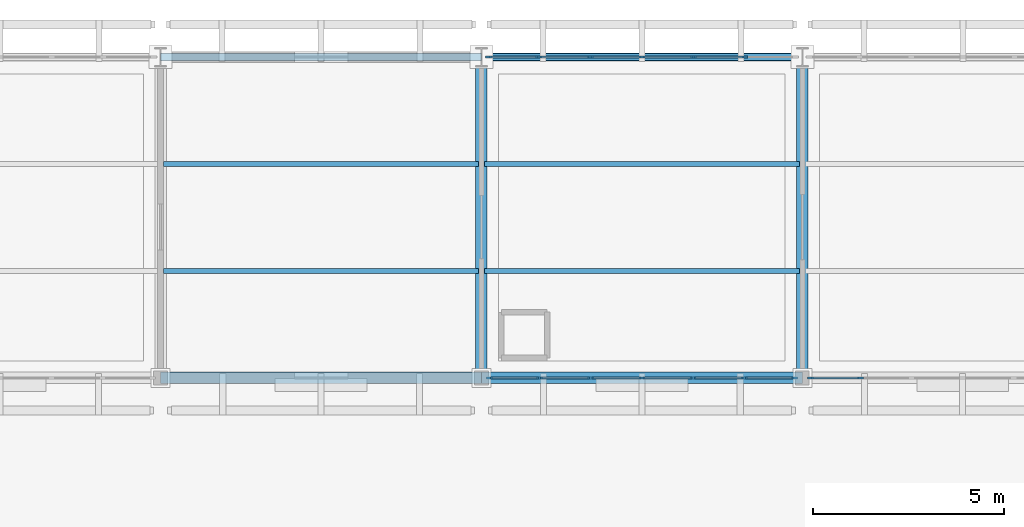
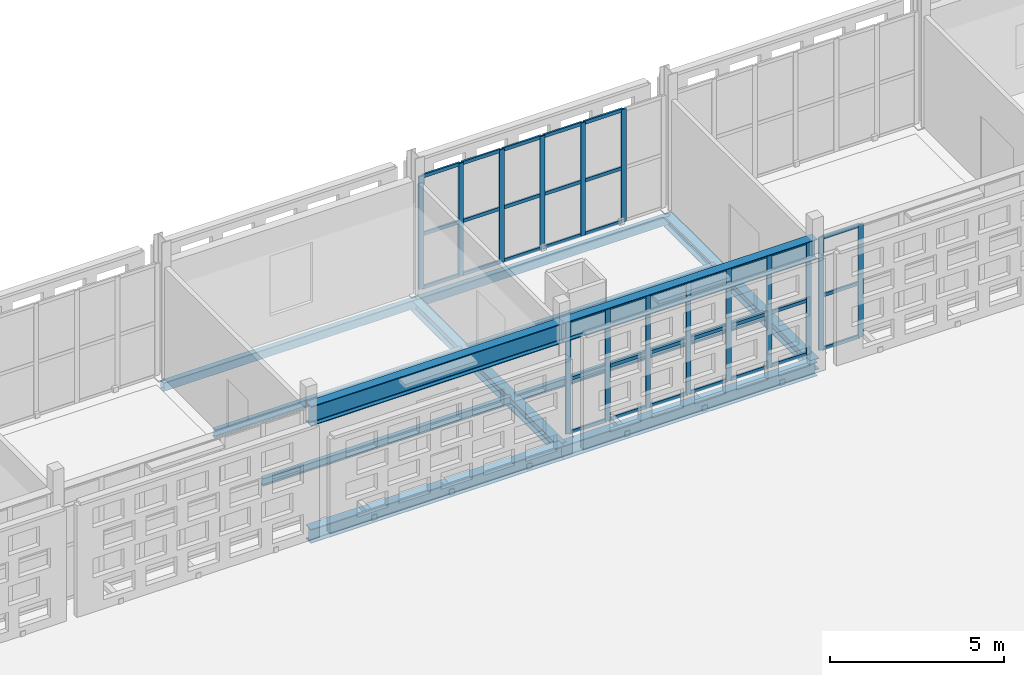
# One storey, part 63 of 203: 51 members, 12 beams, 3 elements without a shape of their own.
"""IFC4 building model written with IfcOpenShell, lengths in metres."""

from ifc_helpers import new_model, si_unit, direction, frame, origin, origin_2d, place, context, subcontext, project, spatial, rectangle, hollow_rectangle, i_section, extrude, material, layer, layer_set, material_profile, profile_set, type_object, element, aggregate, save


model = new_model("IFC4")

# Units and contexts
model_context = context("Model", 3, precision=1e-05, world=origin(), true_north=direction((0.0, 1.0)))
body_context = subcontext(model_context, "Body", "Model", "MODEL_VIEW")
ifc_project = project(units=[si_unit("LENGTHUNIT", "METRE"), si_unit("AREAUNIT", "SQUARE_METRE"), si_unit("VOLUMEUNIT", "CUBIC_METRE"), si_unit("PLANEANGLEUNIT", "RADIAN"), si_unit("MASSUNIT", "GRAM", prefix="KILO")], contexts=[model_context])

# Site, building, storey
site_placement = place(None, origin())
site = spatial("IfcSite", under=ifc_project, at=site_placement, CompositionType="ELEMENT")
building_placement = place(site_placement, origin())
building = spatial("IfcBuilding", under=site, at=building_placement, Name="Varnapada Polytechnic", CompositionType="ELEMENT")
storey_placement = place(building_placement, frame((0.0, 0.0, 4.800048828125)))
storey = spatial("IfcBuildingStorey", under=building, at=storey_placement, Name="L01", CompositionType="ELEMENT", Elevation=4.800048828125)

# Beams
ifc_material_1 = material(Name="Steel S355", Category="steel")
ifc_material_profile_1 = material_profile(ifc_material_1, i_section(OverallWidth=0.300048828125, OverallDepth=0.68994140625, WebThickness=0.014404296875, FlangeThickness=0.027099609375, FilletRadius=0.027099609375, at=origin_2d()), Name="HEA 700")
ifc_profile_set_1 = profile_set([ifc_material_profile_1], Name="Steel S355")
beam_type_1 = type_object("IfcBeamType", Name="Heavy fabrication crane girder CR-03 (HEA 700)", PredefinedType="BEAM", material=ifc_profile_set_1)
beam_1_placement = place(storey_placement, frame((92.39990234375, 117.60009765625, 3.695068359375), z_axis=(1.0, 0.0, 0.0), x_axis=(0.0, 1.0, 0.0)))
element("IfcBeam", 1, at=beam_1_placement, inside=storey, type_object=beam_type_1, Name="Workshop bridge crane runway girder 12-13 line 15", PredefinedType="BEAM", context=body_context, shape_type="SweptSolid", body=[
    extrude(i_section(OverallWidth=0.300048828125, OverallDepth=0.68994140625, WebThickness=0.014404296875, FlangeThickness=0.027099609375, FilletRadius=0.027099609375, at=origin_2d()), origin(), (0.0, 0.0, 1.0), 8.400146484375),
])
beam_2_placement = place(storey_placement, frame((100.800048828125, 117.60009765625, 3.695068359375), z_axis=(1.0, 0.0, 0.0), x_axis=(0.0, 1.0, 0.0)))
element("IfcBeam", 2, at=beam_2_placement, inside=storey, type_object=beam_type_1, Name="Workshop bridge crane runway girder 13-14 line 15", PredefinedType="BEAM", context=body_context, shape_type="SweptSolid", body=[
    extrude(i_section(OverallWidth=0.300048828125, OverallDepth=0.68994140625, WebThickness=0.014404296875, FlangeThickness=0.027099609375, FilletRadius=0.027099609375, at=origin_2d()), origin(), (0.0, 0.0, 1.0), 8.39990234375),
])
ifc_material_profile_2 = material_profile(ifc_material_1, i_section(OverallWidth=0.135009765625, OverallDepth=0.27001953125, WebThickness=0.006591796875, FlangeThickness=0.01025390625, FilletRadius=0.014892578125, at=origin_2d()), Name="IPE 270")
ifc_profile_set_2 = profile_set([ifc_material_profile_2], Name="Steel S355")
beam_type_2 = type_object("IfcBeamType", Name="Mezzanine heavy steel joist SJ-03 (IPE 270)", PredefinedType="JOIST", material=ifc_profile_set_2)
for number, where, z_axis, x_axis, name in (
    (3, (92.47998046875, 120.39990234375, -0.39501953125), (1.0, 0.0, 0.0), (0.0, 1.0, 0.0), "L01 floor joist 12/15.1"),
    (4, (92.47998046875, 123.199951171875, -0.39501953125), (1.0, 0.0, 0.0), (0.0, 1.0, 0.0), "L01 floor joist 12/15.2"),
):
    element("IfcBeam", number, at=place(storey_placement, frame(where, z_axis=z_axis, x_axis=x_axis)), inside=storey, type_object=beam_type_2, Name=name, PredefinedType="JOIST", context=body_context, shape_type="SweptSolid", body=[
        extrude(i_section(OverallWidth=0.135009765625, OverallDepth=0.27001953125, WebThickness=0.006591796875, FlangeThickness=0.01025390625, FilletRadius=0.014892578125, at=origin_2d()), origin(), (0.0, 0.0, 1.0), 8.239990234375),
    ])
for number, where, z_axis, x_axis, name in (
    (5, (100.8798828125, 120.39990234375, -0.39501953125), (1.0, 0.0, 0.0), (0.0, 1.0, 0.0), "L01 floor joist 13/15.1"),
    (6, (100.8798828125, 123.199951171875, -0.39501953125), (1.0, 0.0, 0.0), (0.0, 1.0, 0.0), "L01 floor joist 13/15.2"),
):
    element("IfcBeam", number, at=place(storey_placement, frame(where, z_axis=z_axis, x_axis=x_axis)), inside=storey, type_object=beam_type_2, Name=name, PredefinedType="JOIST", context=body_context, shape_type="SweptSolid", body=[
        extrude(i_section(OverallWidth=0.135009765625, OverallDepth=0.27001953125, WebThickness=0.006591796875, FlangeThickness=0.01025390625, FilletRadius=0.014892578125, at=origin_2d()), origin(), (0.0, 0.0, 1.0), 8.240234375),
    ])

# Curtain wall, members
ifc_material_2 = material(Name="Double low-E laminated glass", Category="glass")
ifc_layer = layer(ifc_material_2, 0.159912109375)
ifc_layer_set = layer_set([ifc_layer], Name="Double low-E laminated glass")
curtain_wall_type = type_object("IfcCurtainWallType", Name="Curtain Wall CW-02", PredefinedType="NOTDEFINED", material=ifc_layer_set)
curtain_wall_1_placement = place(storey_placement, origin())
curtain_wall_1 = element("IfcCurtainWall", 7, at=curtain_wall_1_placement, inside=storey, type_object=curtain_wall_type, Name="L01 unitised curtain wall CW-02 (81)", PredefinedType="NOTDEFINED")
ifc_material_3 = material(Name="Anodised aluminium", Category="aluminium")
ifc_material_profile_3 = material_profile(ifc_material_3, rectangle(XDim=0.06005859375, YDim=0.159912109375, at=origin_2d()), Name="ALU M60x160")
ifc_profile_set_3 = profile_set([ifc_material_profile_3], Name="Anodised aluminium")
member_type_1 = type_object("IfcMemberType", Name="Mullion M-01", PredefinedType="MULLION", material=ifc_profile_set_3)
member_1_placement = place(storey_placement, frame((108.989990234375, 117.60009765625, 0.0), z_axis=(0.0, 0.0, 1.0), x_axis=(0.0, -1.0, 0.0)))
member_1 = element("IfcMember", 8, at=member_1_placement, type_object=member_type_1, Name="CW-02 mullion 1", PredefinedType="MULLION", context=body_context, shape_type="SweptSolid", body=[
    extrude(rectangle(XDim=0.06005859375, YDim=0.159912109375, at=origin_2d()), origin(), (0.0, 0.0, 1.0), 3.9599609375),
])
member_2_placement = place(storey_placement, frame((107.679931640625, 117.60009765625, 0.0), z_axis=(0.0, 0.0, 1.0), x_axis=(0.0, -1.0, 0.0)))
member_2 = element("IfcMember", 9, at=member_2_placement, type_object=member_type_1, Name="CW-02 mullion 2", PredefinedType="MULLION", context=body_context, shape_type="SweptSolid", body=[
    extrude(rectangle(XDim=0.06005859375, YDim=0.159912109375, at=origin_2d()), origin(), (0.0, 0.0, 1.0), 3.9599609375),
])
member_3_placement = place(storey_placement, frame((106.340087890625, 117.60009765625, 0.0), z_axis=(0.0, 0.0, 1.0), x_axis=(0.0, -1.0, 0.0)))
member_3 = element("IfcMember", 10, at=member_3_placement, type_object=member_type_1, Name="CW-02 mullion 3", PredefinedType="MULLION", context=body_context, shape_type="SweptSolid", body=[
    extrude(rectangle(XDim=0.06005859375, YDim=0.159912109375, at=origin_2d()), origin(), (0.0, 0.0, 1.0), 3.9599609375),
])
member_4_placement = place(storey_placement, frame((105.0, 117.60009765625, 0.0), z_axis=(0.0, 0.0, 1.0), x_axis=(0.0, -1.0, 0.0)))
member_4 = element("IfcMember", 11, at=member_4_placement, type_object=member_type_1, Name="CW-02 mullion 4", PredefinedType="MULLION", context=body_context, shape_type="SweptSolid", body=[
    extrude(rectangle(XDim=0.06005859375, YDim=0.159912109375, at=origin_2d()), origin(), (0.0, 0.0, 1.0), 3.9599609375),
])
member_5_placement = place(storey_placement, frame((103.659912109375, 117.60009765625, 0.0), z_axis=(0.0, 0.0, 1.0), x_axis=(0.0, -1.0, 0.0)))
member_5 = element("IfcMember", 12, at=member_5_placement, type_object=member_type_1, Name="CW-02 mullion 5", PredefinedType="MULLION", context=body_context, shape_type="SweptSolid", body=[
    extrude(rectangle(XDim=0.06005859375, YDim=0.159912109375, at=origin_2d()), origin(), (0.0, 0.0, 1.0), 3.9599609375),
])
member_6_placement = place(storey_placement, frame((102.320068359375, 117.60009765625, 0.0), z_axis=(0.0, 0.0, 1.0), x_axis=(0.0, -1.0, 0.0)))
member_6 = element("IfcMember", 13, at=member_6_placement, type_object=member_type_1, Name="CW-02 mullion 6", PredefinedType="MULLION", context=body_context, shape_type="SweptSolid", body=[
    extrude(rectangle(XDim=0.06005859375, YDim=0.159912109375, at=origin_2d()), origin(), (0.0, 0.0, 1.0), 3.9599609375),
])
member_7_placement = place(storey_placement, frame((101.010009765625, 117.60009765625, 0.0), z_axis=(0.0, 0.0, 1.0), x_axis=(0.0, -1.0, 0.0)))
member_7 = element("IfcMember", 14, at=member_7_placement, type_object=member_type_1, Name="CW-02 mullion 7", PredefinedType="MULLION", context=body_context, shape_type="SweptSolid", body=[
    extrude(rectangle(XDim=0.06005859375, YDim=0.159912109375, at=origin_2d()), origin(), (0.0, 0.0, 1.0), 3.9599609375),
])

curtain_wall_2_placement = place(storey_placement, origin())
curtain_wall_2 = element("IfcCurtainWall", 15, at=curtain_wall_2_placement, inside=storey, type_object=curtain_wall_type, Name="L01 unitised curtain wall CW-02 (82)", PredefinedType="NOTDEFINED")
member_8_placement = place(storey_placement, frame((100.97998046875, 126.0, 0.0), z_axis=(0.0, 0.0, 1.0), x_axis=(0.0, 1.0, 0.0)))
member_8 = element("IfcMember", 16, at=member_8_placement, type_object=member_type_1, Name="CW-02 mullion 1", PredefinedType="MULLION", context=body_context, shape_type="SweptSolid", body=[
    extrude(rectangle(XDim=0.06005859375, YDim=0.159912109375, at=origin_2d()), origin(), (0.0, 0.0, 1.0), 3.9599609375),
])
member_9_placement = place(storey_placement, frame((102.300048828125, 126.0, 0.0), z_axis=(0.0, 0.0, 1.0), x_axis=(0.0, 1.0, 0.0)))
member_9 = element("IfcMember", 17, at=member_9_placement, type_object=member_type_1, Name="CW-02 mullion 2", PredefinedType="MULLION", context=body_context, shape_type="SweptSolid", body=[
    extrude(rectangle(XDim=0.06005859375, YDim=0.159912109375, at=origin_2d()), origin(), (0.0, 0.0, 1.0), 3.9599609375),
])
member_10_placement = place(storey_placement, frame((103.64990234375, 126.0, 0.0), z_axis=(0.0, 0.0, 1.0), x_axis=(0.0, 1.0, 0.0)))
member_10 = element("IfcMember", 18, at=member_10_placement, type_object=member_type_1, Name="CW-02 mullion 3", PredefinedType="MULLION", context=body_context, shape_type="SweptSolid", body=[
    extrude(rectangle(XDim=0.06005859375, YDim=0.159912109375, at=origin_2d()), origin(), (0.0, 0.0, 1.0), 3.9599609375),
])
member_11_placement = place(storey_placement, frame((105.0, 126.0, 0.0), z_axis=(0.0, 0.0, 1.0), x_axis=(0.0, 1.0, 0.0)))
member_11 = element("IfcMember", 19, at=member_11_placement, type_object=member_type_1, Name="CW-02 mullion 4", PredefinedType="MULLION", context=body_context, shape_type="SweptSolid", body=[
    extrude(rectangle(XDim=0.06005859375, YDim=0.159912109375, at=origin_2d()), origin(), (0.0, 0.0, 1.0), 3.9599609375),
])
member_12_placement = place(storey_placement, frame((106.35009765625, 126.0, 0.0), z_axis=(0.0, 0.0, 1.0), x_axis=(0.0, 1.0, 0.0)))
member_12 = element("IfcMember", 20, at=member_12_placement, type_object=member_type_1, Name="CW-02 mullion 5", PredefinedType="MULLION", context=body_context, shape_type="SweptSolid", body=[
    extrude(rectangle(XDim=0.06005859375, YDim=0.159912109375, at=origin_2d()), origin(), (0.0, 0.0, 1.0), 3.9599609375),
])
member_13_placement = place(storey_placement, frame((107.699951171875, 126.0, 0.0), z_axis=(0.0, 0.0, 1.0), x_axis=(0.0, 1.0, 0.0)))
member_13 = element("IfcMember", 21, at=member_13_placement, type_object=member_type_1, Name="CW-02 mullion 6", PredefinedType="MULLION", context=body_context, shape_type="SweptSolid", body=[
    extrude(rectangle(XDim=0.06005859375, YDim=0.159912109375, at=origin_2d()), origin(), (0.0, 0.0, 1.0), 3.9599609375),
])

curtain_wall_3_placement = place(storey_placement, origin())
curtain_wall_3 = element("IfcCurtainWall", 22, at=curtain_wall_3_placement, inside=storey, type_object=curtain_wall_type, Name="L01 unitised curtain wall CW-02 (87)", PredefinedType="NOTDEFINED")
member_14_placement = place(storey_placement, frame((110.71826171875, 117.60009765625, 0.0), z_axis=(0.0, 0.0, 1.0), x_axis=(0.0, -1.0, 0.0)))
member_14 = element("IfcMember", 23, at=member_14_placement, type_object=member_type_1, Name="CW-02 mullion 6", PredefinedType="MULLION", context=body_context, shape_type="SweptSolid", body=[
    extrude(rectangle(XDim=0.06005859375, YDim=0.159912109375, at=origin_2d()), origin(), (0.0, 0.0, 1.0), 3.9599609375),
])
member_15_placement = place(storey_placement, frame((109.409912109375, 117.60009765625, 0.0), z_axis=(0.0, 0.0, 1.0), x_axis=(0.0, -1.0, 0.0)))
member_15 = element("IfcMember", 24, at=member_15_placement, type_object=member_type_1, Name="CW-02 mullion 7", PredefinedType="MULLION", context=body_context, shape_type="SweptSolid", body=[
    extrude(rectangle(XDim=0.06005859375, YDim=0.159912109375, at=origin_2d()), origin(), (0.0, 0.0, 1.0), 3.9599609375),
])

# Beams
ifc_material_profile_4 = material_profile(ifc_material_1, i_section(OverallWidth=0.300048828125, OverallDepth=0.389892578125, WebThickness=0.010986328125, FlangeThickness=0.01904296875, FilletRadius=0.027099609375, at=origin_2d()), Name="HEA 400")
ifc_profile_set_4 = profile_set([ifc_material_profile_4], Name="Steel S355")
beam_type_3 = type_object("IfcBeamType", Name="Steel roof primary girder SG-01 (HEA 400)", PredefinedType="BEAM", material=ifc_profile_set_4)
for number, where, z_axis, x_axis, name in (
    (25, (100.800048828125, 117.60009765625, -0.465087890625), (0.0, 1.0, 0.0), (-1.0, 0.0, 0.0), "L01 beam Y 15-16 at X13"),
    (26, (109.199951171875, 117.60009765625, -0.465087890625), (0.0, 1.0, 0.0), (-1.0, 0.0, 0.0), "L01 beam Y 15-16 at X14"),
):
    element("IfcBeam", number, at=place(storey_placement, frame(where, z_axis=z_axis, x_axis=x_axis)), inside=storey, type_object=beam_type_3, Name=name, PredefinedType="BEAM", context=body_context, shape_type="SweptSolid", body=[
        extrude(i_section(OverallWidth=0.300048828125, OverallDepth=0.389892578125, WebThickness=0.010986328125, FlangeThickness=0.01904296875, FilletRadius=0.027099609375, at=origin_2d()), origin(), (0.0, 0.0, 1.0), 8.39990234375),
    ])

# Member
ifc_material_profile_5 = material_profile(ifc_material_3, rectangle(XDim=0.06005859375, YDim=0.1201171875, at=origin_2d()), Name="ALU T60x120")
ifc_profile_set_5 = profile_set([ifc_material_profile_5], Name="Anodised aluminium")
member_type_2 = type_object("IfcMemberType", Name="Transom T-01", PredefinedType="USERDEFINED", material=ifc_profile_set_5)
member_16_placement = place(storey_placement, frame((108.9599609375, 117.60009765625, 0.030029296875), z_axis=(-1.0, 0.0, 0.0), x_axis=(0.0, -1.0, 0.0)))
member_16 = element("IfcMember", 27, at=member_16_placement, type_object=member_type_2, Name="CW-02 transom 1.1", ObjectType="TRANSOM", PredefinedType="USERDEFINED", context=body_context, shape_type="SweptSolid", body=[
    extrude(rectangle(XDim=0.06005859375, YDim=0.1201171875, at=origin_2d()), origin(), (0.0, 0.0, 1.0), 1.25),
])

member_17_placement = place(storey_placement, frame((108.9599609375, 117.60009765625, 1.900634765625), z_axis=(-1.0, 0.0, 0.0), x_axis=(0.0, -1.0, 0.0)))
member_17 = element("IfcMember", 28, at=member_17_placement, type_object=member_type_2, Name="CW-02 transom 1.2", ObjectType="TRANSOM", PredefinedType="USERDEFINED", context=body_context, shape_type="SweptSolid", body=[
    extrude(rectangle(XDim=0.06005859375, YDim=0.1201171875, at=origin_2d()), origin(), (0.0, 0.0, 1.0), 1.25),
])

member_18_placement = place(storey_placement, frame((108.9599609375, 117.60009765625, 3.929931640625), z_axis=(-1.0, 0.0, 0.0), x_axis=(0.0, -1.0, 0.0)))
member_18 = element("IfcMember", 29, at=member_18_placement, type_object=member_type_2, Name="CW-02 transom 1.3", ObjectType="TRANSOM", PredefinedType="USERDEFINED", context=body_context, shape_type="SweptSolid", body=[
    extrude(rectangle(XDim=0.06005859375, YDim=0.1201171875, at=origin_2d()), origin(), (0.0, 0.0, 1.0), 1.25),
])

member_19_placement = place(storey_placement, frame((107.64990234375, 117.60009765625, 0.030029296875), z_axis=(-1.0, 0.0, 0.0), x_axis=(0.0, -1.0, 0.0)))
member_19 = element("IfcMember", 30, at=member_19_placement, type_object=member_type_2, Name="CW-02 transom 2.1", ObjectType="TRANSOM", PredefinedType="USERDEFINED", context=body_context, shape_type="SweptSolid", body=[
    extrude(rectangle(XDim=0.06005859375, YDim=0.1201171875, at=origin_2d()), origin(), (0.0, 0.0, 1.0), 1.27978515625),
])

member_20_placement = place(storey_placement, frame((107.64990234375, 117.60009765625, 1.900634765625), z_axis=(-1.0, 0.0, 0.0), x_axis=(0.0, -1.0, 0.0)))
member_20 = element("IfcMember", 31, at=member_20_placement, type_object=member_type_2, Name="CW-02 transom 2.2", ObjectType="TRANSOM", PredefinedType="USERDEFINED", context=body_context, shape_type="SweptSolid", body=[
    extrude(rectangle(XDim=0.06005859375, YDim=0.1201171875, at=origin_2d()), origin(), (0.0, 0.0, 1.0), 1.27978515625),
])

member_21_placement = place(storey_placement, frame((107.64990234375, 117.60009765625, 3.929931640625), z_axis=(-1.0, 0.0, 0.0), x_axis=(0.0, -1.0, 0.0)))
member_21 = element("IfcMember", 32, at=member_21_placement, type_object=member_type_2, Name="CW-02 transom 2.3", ObjectType="TRANSOM", PredefinedType="USERDEFINED", context=body_context, shape_type="SweptSolid", body=[
    extrude(rectangle(XDim=0.06005859375, YDim=0.1201171875, at=origin_2d()), origin(), (0.0, 0.0, 1.0), 1.27978515625),
])

member_22_placement = place(storey_placement, frame((106.31005859375, 117.60009765625, 0.030029296875), z_axis=(-1.0, 0.0, 0.0), x_axis=(0.0, -1.0, 0.0)))
member_22 = element("IfcMember", 33, at=member_22_placement, type_object=member_type_2, Name="CW-02 transom 3.1", ObjectType="TRANSOM", PredefinedType="USERDEFINED", context=body_context, shape_type="SweptSolid", body=[
    extrude(rectangle(XDim=0.06005859375, YDim=0.1201171875, at=origin_2d()), origin(), (0.0, 0.0, 1.0), 1.280029296875),
])

member_23_placement = place(storey_placement, frame((106.31005859375, 117.60009765625, 1.900634765625), z_axis=(-1.0, 0.0, 0.0), x_axis=(0.0, -1.0, 0.0)))
member_23 = element("IfcMember", 34, at=member_23_placement, type_object=member_type_2, Name="CW-02 transom 3.2", ObjectType="TRANSOM", PredefinedType="USERDEFINED", context=body_context, shape_type="SweptSolid", body=[
    extrude(rectangle(XDim=0.06005859375, YDim=0.1201171875, at=origin_2d()), origin(), (0.0, 0.0, 1.0), 1.280029296875),
])

member_24_placement = place(storey_placement, frame((106.31005859375, 117.60009765625, 3.929931640625), z_axis=(-1.0, 0.0, 0.0), x_axis=(0.0, -1.0, 0.0)))
member_24 = element("IfcMember", 35, at=member_24_placement, type_object=member_type_2, Name="CW-02 transom 3.3", ObjectType="TRANSOM", PredefinedType="USERDEFINED", context=body_context, shape_type="SweptSolid", body=[
    extrude(rectangle(XDim=0.06005859375, YDim=0.1201171875, at=origin_2d()), origin(), (0.0, 0.0, 1.0), 1.280029296875),
])

member_25_placement = place(storey_placement, frame((104.969970703125, 117.60009765625, 0.030029296875), z_axis=(-1.0, 0.0, 0.0), x_axis=(0.0, -1.0, 0.0)))
member_25 = element("IfcMember", 36, at=member_25_placement, type_object=member_type_2, Name="CW-02 transom 4.1", ObjectType="TRANSOM", PredefinedType="USERDEFINED", context=body_context, shape_type="SweptSolid", body=[
    extrude(rectangle(XDim=0.06005859375, YDim=0.1201171875, at=origin_2d()), origin(), (0.0, 0.0, 1.0), 1.280029296875),
])

member_26_placement = place(storey_placement, frame((104.969970703125, 117.60009765625, 1.900634765625), z_axis=(-1.0, 0.0, 0.0), x_axis=(0.0, -1.0, 0.0)))
member_26 = element("IfcMember", 37, at=member_26_placement, type_object=member_type_2, Name="CW-02 transom 4.2", ObjectType="TRANSOM", PredefinedType="USERDEFINED", context=body_context, shape_type="SweptSolid", body=[
    extrude(rectangle(XDim=0.06005859375, YDim=0.1201171875, at=origin_2d()), origin(), (0.0, 0.0, 1.0), 1.280029296875),
])

member_27_placement = place(storey_placement, frame((104.969970703125, 117.60009765625, 3.929931640625), z_axis=(-1.0, 0.0, 0.0), x_axis=(0.0, -1.0, 0.0)))
member_27 = element("IfcMember", 38, at=member_27_placement, type_object=member_type_2, Name="CW-02 transom 4.3", ObjectType="TRANSOM", PredefinedType="USERDEFINED", context=body_context, shape_type="SweptSolid", body=[
    extrude(rectangle(XDim=0.06005859375, YDim=0.1201171875, at=origin_2d()), origin(), (0.0, 0.0, 1.0), 1.280029296875),
])

member_28_placement = place(storey_placement, frame((103.6298828125, 117.60009765625, 0.030029296875), z_axis=(-1.0, 0.0, 0.0), x_axis=(0.0, -1.0, 0.0)))
member_28 = element("IfcMember", 39, at=member_28_placement, type_object=member_type_2, Name="CW-02 transom 5.1", ObjectType="TRANSOM", PredefinedType="USERDEFINED", context=body_context, shape_type="SweptSolid", body=[
    extrude(rectangle(XDim=0.06005859375, YDim=0.1201171875, at=origin_2d()), origin(), (0.0, 0.0, 1.0), 1.27978515625),
])

member_29_placement = place(storey_placement, frame((103.6298828125, 117.60009765625, 1.900634765625), z_axis=(-1.0, 0.0, 0.0), x_axis=(0.0, -1.0, 0.0)))
member_29 = element("IfcMember", 40, at=member_29_placement, type_object=member_type_2, Name="CW-02 transom 5.2", ObjectType="TRANSOM", PredefinedType="USERDEFINED", context=body_context, shape_type="SweptSolid", body=[
    extrude(rectangle(XDim=0.06005859375, YDim=0.1201171875, at=origin_2d()), origin(), (0.0, 0.0, 1.0), 1.27978515625),
])

member_30_placement = place(storey_placement, frame((103.6298828125, 117.60009765625, 3.929931640625), z_axis=(-1.0, 0.0, 0.0), x_axis=(0.0, -1.0, 0.0)))
member_30 = element("IfcMember", 41, at=member_30_placement, type_object=member_type_2, Name="CW-02 transom 5.3", ObjectType="TRANSOM", PredefinedType="USERDEFINED", context=body_context, shape_type="SweptSolid", body=[
    extrude(rectangle(XDim=0.06005859375, YDim=0.1201171875, at=origin_2d()), origin(), (0.0, 0.0, 1.0), 1.27978515625),
])

member_31_placement = place(storey_placement, frame((102.2900390625, 117.60009765625, 0.030029296875), z_axis=(-1.0, 0.0, 0.0), x_axis=(0.0, -1.0, 0.0)))
member_31 = element("IfcMember", 42, at=member_31_placement, type_object=member_type_2, Name="CW-02 transom 6.1", ObjectType="TRANSOM", PredefinedType="USERDEFINED", context=body_context, shape_type="SweptSolid", body=[
    extrude(rectangle(XDim=0.06005859375, YDim=0.1201171875, at=origin_2d()), origin(), (0.0, 0.0, 1.0), 1.25),
])

member_32_placement = place(storey_placement, frame((102.2900390625, 117.60009765625, 1.900634765625), z_axis=(-1.0, 0.0, 0.0), x_axis=(0.0, -1.0, 0.0)))
member_32 = element("IfcMember", 43, at=member_32_placement, type_object=member_type_2, Name="CW-02 transom 6.2", ObjectType="TRANSOM", PredefinedType="USERDEFINED", context=body_context, shape_type="SweptSolid", body=[
    extrude(rectangle(XDim=0.06005859375, YDim=0.1201171875, at=origin_2d()), origin(), (0.0, 0.0, 1.0), 1.25),
])

member_33_placement = place(storey_placement, frame((102.2900390625, 117.60009765625, 3.929931640625), z_axis=(-1.0, 0.0, 0.0), x_axis=(0.0, -1.0, 0.0)))
member_33 = element("IfcMember", 44, at=member_33_placement, type_object=member_type_2, Name="CW-02 transom 6.3", ObjectType="TRANSOM", PredefinedType="USERDEFINED", context=body_context, shape_type="SweptSolid", body=[
    extrude(rectangle(XDim=0.06005859375, YDim=0.1201171875, at=origin_2d()), origin(), (0.0, 0.0, 1.0), 1.25),
])

aggregate(curtain_wall_1, [member_1, member_2, member_3, member_4, member_5, member_6, member_7, member_16, member_17, member_18, member_19, member_20, member_21, member_22, member_23, member_24, member_25, member_26, member_27, member_28, member_29, member_30, member_31, member_32, member_33])

member_34_placement = place(storey_placement, frame((101.010009765625, 126.0, 0.030029296875), z_axis=(1.0, 0.0, 0.0), x_axis=(0.0, 1.0, 0.0)))
member_34 = element("IfcMember", 45, at=member_34_placement, type_object=member_type_2, Name="CW-02 transom 1.1", ObjectType="TRANSOM", PredefinedType="USERDEFINED", context=body_context, shape_type="SweptSolid", body=[
    extrude(rectangle(XDim=0.06005859375, YDim=0.1201171875, at=origin_2d()), origin(), (0.0, 0.0, 1.0), 1.260009765625),
])

member_35_placement = place(storey_placement, frame((101.010009765625, 126.0, 1.900634765625), z_axis=(1.0, 0.0, 0.0), x_axis=(0.0, 1.0, 0.0)))
member_35 = element("IfcMember", 46, at=member_35_placement, type_object=member_type_2, Name="CW-02 transom 1.2", ObjectType="TRANSOM", PredefinedType="USERDEFINED", context=body_context, shape_type="SweptSolid", body=[
    extrude(rectangle(XDim=0.06005859375, YDim=0.1201171875, at=origin_2d()), origin(), (0.0, 0.0, 1.0), 1.260009765625),
])

member_36_placement = place(storey_placement, frame((101.010009765625, 126.0, 3.929931640625), z_axis=(1.0, 0.0, 0.0), x_axis=(0.0, 1.0, 0.0)))
member_36 = element("IfcMember", 47, at=member_36_placement, type_object=member_type_2, Name="CW-02 transom 1.3", ObjectType="TRANSOM", PredefinedType="USERDEFINED", context=body_context, shape_type="SweptSolid", body=[
    extrude(rectangle(XDim=0.06005859375, YDim=0.1201171875, at=origin_2d()), origin(), (0.0, 0.0, 1.0), 1.260009765625),
])

member_37_placement = place(storey_placement, frame((102.330078125, 126.0, 0.030029296875), z_axis=(1.0, 0.0, 0.0), x_axis=(0.0, 1.0, 0.0)))
member_37 = element("IfcMember", 48, at=member_37_placement, type_object=member_type_2, Name="CW-02 transom 2.1", ObjectType="TRANSOM", PredefinedType="USERDEFINED", context=body_context, shape_type="SweptSolid", body=[
    extrude(rectangle(XDim=0.06005859375, YDim=0.1201171875, at=origin_2d()), origin(), (0.0, 0.0, 1.0), 1.2900390625),
])

member_38_placement = place(storey_placement, frame((102.330078125, 126.0, 1.900634765625), z_axis=(1.0, 0.0, 0.0), x_axis=(0.0, 1.0, 0.0)))
member_38 = element("IfcMember", 49, at=member_38_placement, type_object=member_type_2, Name="CW-02 transom 2.2", ObjectType="TRANSOM", PredefinedType="USERDEFINED", context=body_context, shape_type="SweptSolid", body=[
    extrude(rectangle(XDim=0.06005859375, YDim=0.1201171875, at=origin_2d()), origin(), (0.0, 0.0, 1.0), 1.2900390625),
])

member_39_placement = place(storey_placement, frame((102.330078125, 126.0, 3.929931640625), z_axis=(1.0, 0.0, 0.0), x_axis=(0.0, 1.0, 0.0)))
member_39 = element("IfcMember", 50, at=member_39_placement, type_object=member_type_2, Name="CW-02 transom 2.3", ObjectType="TRANSOM", PredefinedType="USERDEFINED", context=body_context, shape_type="SweptSolid", body=[
    extrude(rectangle(XDim=0.06005859375, YDim=0.1201171875, at=origin_2d()), origin(), (0.0, 0.0, 1.0), 1.2900390625),
])

member_40_placement = place(storey_placement, frame((103.679931640625, 126.0, 0.030029296875), z_axis=(1.0, 0.0, 0.0), x_axis=(0.0, 1.0, 0.0)))
member_40 = element("IfcMember", 51, at=member_40_placement, type_object=member_type_2, Name="CW-02 transom 3.1", ObjectType="TRANSOM", PredefinedType="USERDEFINED", context=body_context, shape_type="SweptSolid", body=[
    extrude(rectangle(XDim=0.06005859375, YDim=0.1201171875, at=origin_2d()), origin(), (0.0, 0.0, 1.0), 1.2900390625),
])

member_41_placement = place(storey_placement, frame((103.679931640625, 126.0, 1.900634765625), z_axis=(1.0, 0.0, 0.0), x_axis=(0.0, 1.0, 0.0)))
member_41 = element("IfcMember", 52, at=member_41_placement, type_object=member_type_2, Name="CW-02 transom 3.2", ObjectType="TRANSOM", PredefinedType="USERDEFINED", context=body_context, shape_type="SweptSolid", body=[
    extrude(rectangle(XDim=0.06005859375, YDim=0.1201171875, at=origin_2d()), origin(), (0.0, 0.0, 1.0), 1.2900390625),
])

member_42_placement = place(storey_placement, frame((103.679931640625, 126.0, 3.929931640625), z_axis=(1.0, 0.0, 0.0), x_axis=(0.0, 1.0, 0.0)))
member_42 = element("IfcMember", 53, at=member_42_placement, type_object=member_type_2, Name="CW-02 transom 3.3", ObjectType="TRANSOM", PredefinedType="USERDEFINED", context=body_context, shape_type="SweptSolid", body=[
    extrude(rectangle(XDim=0.06005859375, YDim=0.1201171875, at=origin_2d()), origin(), (0.0, 0.0, 1.0), 1.2900390625),
])

member_43_placement = place(storey_placement, frame((105.030029296875, 126.0, 0.030029296875), z_axis=(1.0, 0.0, 0.0), x_axis=(0.0, 1.0, 0.0)))
member_43 = element("IfcMember", 54, at=member_43_placement, type_object=member_type_2, Name="CW-02 transom 4.1", ObjectType="TRANSOM", PredefinedType="USERDEFINED", context=body_context, shape_type="SweptSolid", body=[
    extrude(rectangle(XDim=0.06005859375, YDim=0.1201171875, at=origin_2d()), origin(), (0.0, 0.0, 1.0), 1.2900390625),
])

member_44_placement = place(storey_placement, frame((105.030029296875, 126.0, 1.900634765625), z_axis=(1.0, 0.0, 0.0), x_axis=(0.0, 1.0, 0.0)))
member_44 = element("IfcMember", 55, at=member_44_placement, type_object=member_type_2, Name="CW-02 transom 4.2", ObjectType="TRANSOM", PredefinedType="USERDEFINED", context=body_context, shape_type="SweptSolid", body=[
    extrude(rectangle(XDim=0.06005859375, YDim=0.1201171875, at=origin_2d()), origin(), (0.0, 0.0, 1.0), 1.2900390625),
])

member_45_placement = place(storey_placement, frame((105.030029296875, 126.0, 3.929931640625), z_axis=(1.0, 0.0, 0.0), x_axis=(0.0, 1.0, 0.0)))
member_45 = element("IfcMember", 56, at=member_45_placement, type_object=member_type_2, Name="CW-02 transom 4.3", ObjectType="TRANSOM", PredefinedType="USERDEFINED", context=body_context, shape_type="SweptSolid", body=[
    extrude(rectangle(XDim=0.06005859375, YDim=0.1201171875, at=origin_2d()), origin(), (0.0, 0.0, 1.0), 1.2900390625),
])

member_46_placement = place(storey_placement, frame((106.3798828125, 126.0, 0.030029296875), z_axis=(1.0, 0.0, 0.0), x_axis=(0.0, 1.0, 0.0)))
member_46 = element("IfcMember", 57, at=member_46_placement, type_object=member_type_2, Name="CW-02 transom 5.1", ObjectType="TRANSOM", PredefinedType="USERDEFINED", context=body_context, shape_type="SweptSolid", body=[
    extrude(rectangle(XDim=0.06005859375, YDim=0.1201171875, at=origin_2d()), origin(), (0.0, 0.0, 1.0), 1.2900390625),
])

member_47_placement = place(storey_placement, frame((106.3798828125, 126.0, 1.900634765625), z_axis=(1.0, 0.0, 0.0), x_axis=(0.0, 1.0, 0.0)))
member_47 = element("IfcMember", 58, at=member_47_placement, type_object=member_type_2, Name="CW-02 transom 5.2", ObjectType="TRANSOM", PredefinedType="USERDEFINED", context=body_context, shape_type="SweptSolid", body=[
    extrude(rectangle(XDim=0.06005859375, YDim=0.1201171875, at=origin_2d()), origin(), (0.0, 0.0, 1.0), 1.2900390625),
])

member_48_placement = place(storey_placement, frame((106.3798828125, 126.0, 3.929931640625), z_axis=(1.0, 0.0, 0.0), x_axis=(0.0, 1.0, 0.0)))
member_48 = element("IfcMember", 59, at=member_48_placement, type_object=member_type_2, Name="CW-02 transom 5.3", ObjectType="TRANSOM", PredefinedType="USERDEFINED", context=body_context, shape_type="SweptSolid", body=[
    extrude(rectangle(XDim=0.06005859375, YDim=0.1201171875, at=origin_2d()), origin(), (0.0, 0.0, 1.0), 1.2900390625),
])

aggregate(curtain_wall_2, [member_8, member_9, member_10, member_11, member_12, member_13, member_34, member_35, member_36, member_37, member_38, member_39, member_40, member_41, member_42, member_43, member_44, member_45, member_46, member_47, member_48])

member_49_placement = place(storey_placement, frame((110.688232421875, 117.60009765625, 0.030029296875), z_axis=(-1.0, 0.0, 0.0), x_axis=(0.0, -1.0, 0.0)))
member_49 = element("IfcMember", 60, at=member_49_placement, type_object=member_type_2, Name="CW-02 transom 6.1", ObjectType="TRANSOM", PredefinedType="USERDEFINED", context=body_context, shape_type="SweptSolid", body=[
    extrude(rectangle(XDim=0.06005859375, YDim=0.1201171875, at=origin_2d()), origin(), (0.0, 0.0, 1.0), 1.248291015625),
])

member_50_placement = place(storey_placement, frame((110.688232421875, 117.60009765625, 1.900634765625), z_axis=(-1.0, 0.0, 0.0), x_axis=(0.0, -1.0, 0.0)))
member_50 = element("IfcMember", 61, at=member_50_placement, type_object=member_type_2, Name="CW-02 transom 6.2", ObjectType="TRANSOM", PredefinedType="USERDEFINED", context=body_context, shape_type="SweptSolid", body=[
    extrude(rectangle(XDim=0.06005859375, YDim=0.1201171875, at=origin_2d()), origin(), (0.0, 0.0, 1.0), 1.248291015625),
])

member_51_placement = place(storey_placement, frame((110.688232421875, 117.60009765625, 3.929931640625), z_axis=(-1.0, 0.0, 0.0), x_axis=(0.0, -1.0, 0.0)))
member_51 = element("IfcMember", 62, at=member_51_placement, type_object=member_type_2, Name="CW-02 transom 6.3", ObjectType="TRANSOM", PredefinedType="USERDEFINED", context=body_context, shape_type="SweptSolid", body=[
    extrude(rectangle(XDim=0.06005859375, YDim=0.1201171875, at=origin_2d()), origin(), (0.0, 0.0, 1.0), 1.248291015625),
])

aggregate(curtain_wall_3, [member_14, member_15, member_49, member_50, member_51])

# Beams
ifc_material_profile_6 = material_profile(ifc_material_1, i_section(OverallWidth=0.300048828125, OverallDepth=0.489990234375, WebThickness=0.011962890625, FlangeThickness=0.02294921875, FilletRadius=0.027099609375, at=origin_2d()), Name="HEA 500")
ifc_profile_set_6 = profile_set([ifc_material_profile_6], Name="Steel S355")
beam_type_4 = type_object("IfcBeamType", Name="Workshop gallery edge girder CR-02 (HEA 500)", PredefinedType="BEAM", material=ifc_profile_set_6)
beam_3_placement = place(storey_placement, frame((92.39990234375, 117.60009765625, -0.51513671875), z_axis=(1.0, 0.0, 0.0), x_axis=(0.0, 1.0, 0.0)))
element("IfcBeam", 63, at=beam_3_placement, inside=storey, type_object=beam_type_4, Name="L01 beam X 12-13 at Y15", PredefinedType="BEAM", context=body_context, shape_type="SweptSolid", body=[
    extrude(i_section(OverallWidth=0.300048828125, OverallDepth=0.489990234375, WebThickness=0.011962890625, FlangeThickness=0.02294921875, FilletRadius=0.027099609375, at=origin_2d()), origin(), (0.0, 0.0, 1.0), 8.400146484375),
])
beam_4_placement = place(storey_placement, frame((100.800048828125, 117.60009765625, -0.51513671875), z_axis=(1.0, 0.0, 0.0), x_axis=(0.0, 1.0, 0.0)))
element("IfcBeam", 64, at=beam_4_placement, inside=storey, type_object=beam_type_4, Name="L01 beam X 13-14 at Y15", PredefinedType="BEAM", context=body_context, shape_type="SweptSolid", body=[
    extrude(i_section(OverallWidth=0.300048828125, OverallDepth=0.489990234375, WebThickness=0.011962890625, FlangeThickness=0.02294921875, FilletRadius=0.027099609375, at=origin_2d()), origin(), (0.0, 0.0, 1.0), 8.39990234375),
])
ifc_material_profile_7 = material_profile(ifc_material_1, hollow_rectangle(XDim=0.199951171875, YDim=0.300048828125, WallThickness=0.010009765625, InnerFilletRadius=0.010009765625, OuterFilletRadius=0.02001953125, at=origin_2d()), Name="RHS 300x200x10")
ifc_profile_set_7 = profile_set([ifc_material_profile_7], Name="Steel S355")
beam_type_5 = type_object("IfcBeamType", Name="Workshop steel spandrel tie SP-03 (RHS 300x200x10)", PredefinedType="SPANDREL", material=ifc_profile_set_7)
beam_5_placement = place(storey_placement, frame((92.39990234375, 126.0, -0.41015625), z_axis=(1.0, 0.0, 0.0), x_axis=(0.0, 1.0, 0.0)))
element("IfcBeam", 65, at=beam_5_placement, inside=storey, type_object=beam_type_5, Name="L01 beam X 12-13 at Y16", PredefinedType="SPANDREL", context=body_context, shape_type="SweptSolid", body=[
    extrude(hollow_rectangle(XDim=0.199951171875, YDim=0.300048828125, WallThickness=0.010009765625, InnerFilletRadius=0.010009765625, OuterFilletRadius=0.02001953125, at=origin_2d()), origin(), (0.0, 0.0, 1.0), 8.400146484375),
])
beam_6_placement = place(storey_placement, frame((100.800048828125, 126.0, -0.41015625), z_axis=(1.0, 0.0, 0.0), x_axis=(0.0, 1.0, 0.0)))
element("IfcBeam", 66, at=beam_6_placement, inside=storey, type_object=beam_type_5, Name="L01 beam X 13-14 at Y16", PredefinedType="SPANDREL", context=body_context, shape_type="SweptSolid", body=[
    extrude(hollow_rectangle(XDim=0.199951171875, YDim=0.300048828125, WallThickness=0.010009765625, InnerFilletRadius=0.010009765625, OuterFilletRadius=0.02001953125, at=origin_2d()), origin(), (0.0, 0.0, 1.0), 8.39990234375),
])

save(model, "model.ifc")
